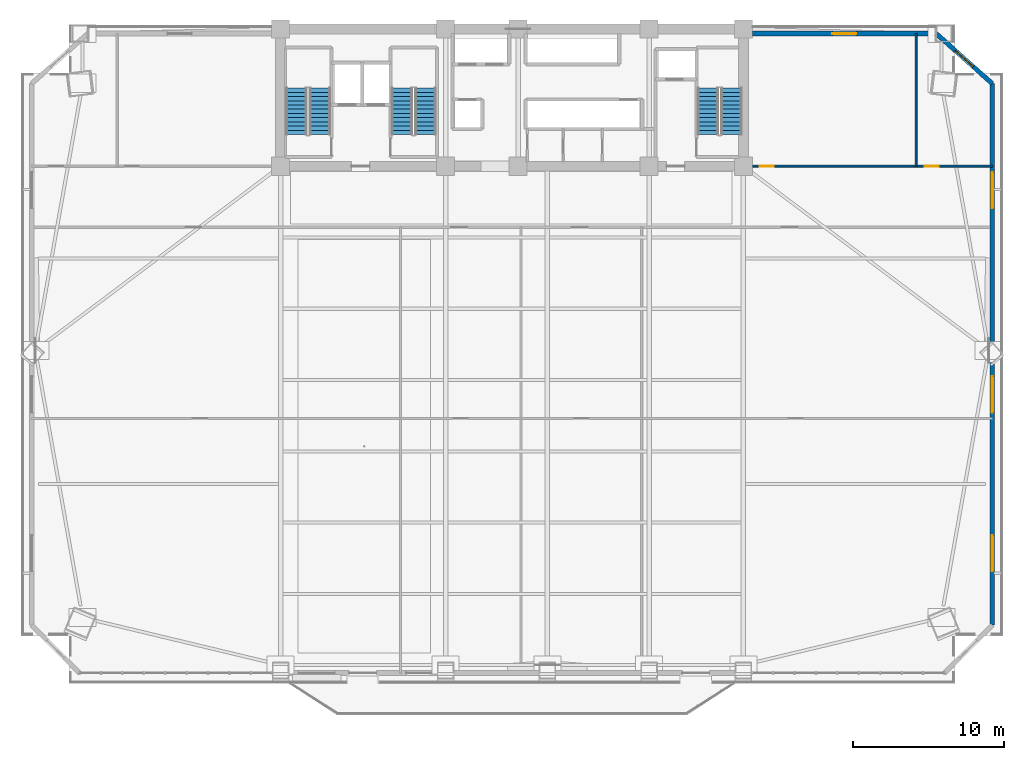
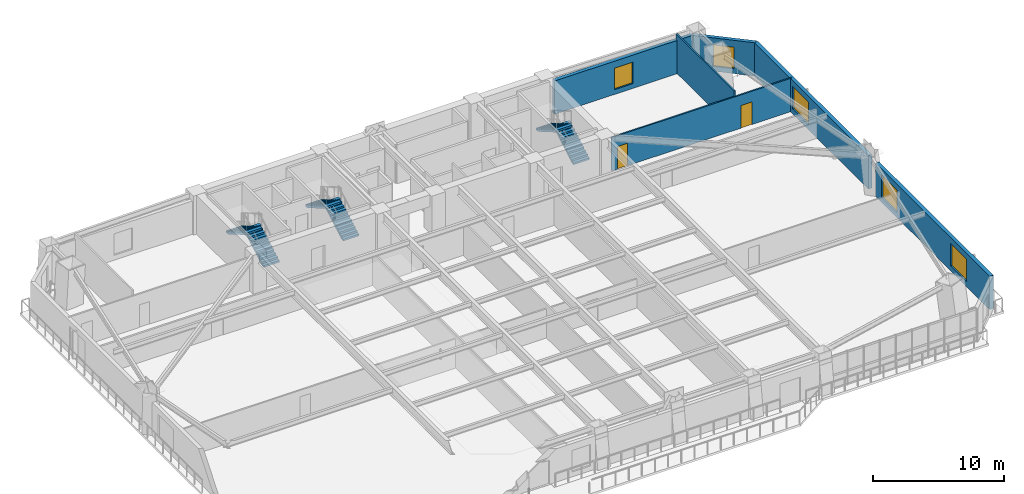
# One storey, part 11 of 17: 6 stair flights, 6 walls, 5 windows, 2 doors, 7 openings, 3 elements without a shape of their own.
"""IFC4 building model written with IfcOpenShell, lengths in metres."""

from ifc_helpers import new_model, si_unit, direction, frame, frame_2d, origin, place, context, subcontext, project, spatial, polyline, rectangle, outline, extrude, source, transform, mapped, material, layer, layer_set, type_object, element, fill, aggregate, save


model = new_model("IFC4")

# Units and contexts
model_context = context("Model", 3, precision=1e-05, world=origin(), true_north=direction((0.0, 1.0)))
body_context = subcontext(model_context, "Body", "Model", "MODEL_VIEW")
ifc_project = project(units=[si_unit("LENGTHUNIT", "METRE"), si_unit("AREAUNIT", "SQUARE_METRE"), si_unit("VOLUMEUNIT", "CUBIC_METRE"), si_unit("PLANEANGLEUNIT", "RADIAN"), si_unit("MASSUNIT", "GRAM", prefix="KILO")], contexts=[model_context])

# Site, building, storey
site_placement = place(None, origin())
site = spatial("IfcSite", under=ifc_project, at=site_placement, CompositionType="ELEMENT")
building_placement = place(site_placement, origin())
building = spatial("IfcBuilding", under=site, at=building_placement, Name="Giltprow Tower", CompositionType="ELEMENT")
storey_placement = place(building_placement, frame((0.0, 0.0, 44.89990234375)))
storey = spatial("IfcBuildingStorey", under=building, at=storey_placement, Name="L11", CompositionType="ELEMENT", Elevation=44.89990234375)

# Wall, opening, window
ifc_material_1 = material(Name="Precast concrete C40", Category="concrete")
ifc_layer_1 = layer(ifc_material_1, 0.300048828125, Name="Precast concrete C40")
ifc_layer_set_1 = layer_set([ifc_layer_1], Name="Precast concrete C40")
wall_type_1 = type_object("IfcWallType", Name="EW-NOTCH-CHAMFER-300", PredefinedType="SOLIDWALL", material=ifc_layer_set_1)
wall_1_placement = place(storey_placement, frame((67.06494140625, 42.926025390625, 0.0), z_axis=(0.0, 0.0, 1.0), x_axis=(-0.746028775675, 0.665913707521, 0.0)))
wall_1 = element("IfcWall", 1, at=wall_1_placement, inside=storey, type_object=wall_type_1, Name="L11 Corner Notch Wall NE", PredefinedType="SOLIDWALL", context=body_context, shape_type="SweptSolid", body=[
    extrude(rectangle(XDim=4.99169921875, YDim=0.300048828125, at=frame_2d((2.495849609375, 0.0))), origin(), (0.0, 0.0, 1.0), 3.10009765625),
])
opening_1_placement = place(wall_1_placement, frame((1.696044921875, 0.0, 0.449951171875)))
opening_1 = element("IfcOpeningElement", 2, at=opening_1_placement, cuts=wall_1, Name="Opening WN17", PredefinedType="OPENING", context=body_context, shape_type="SweptSolid", body=[
    extrude(rectangle(XDim=1.60009765625, YDim=2.0, at=frame_2d((0.800048828125, 1.0))), frame((0.0, 0.159912109375, 0.0), z_axis=(0.0, -1.0, 0.0), x_axis=(1.0, 0.0, 0.0)), (0.0, 0.0, 1.0), 0.320068359375),
])
ifc_material_2 = material(Name="Insulated glass", Category="glass")
window_type_1 = type_object("IfcWindowType", Name="WN-COR-1600x2000", PartitioningType="SINGLE_PANEL", PredefinedType="WINDOW", material=ifc_material_2)
shared_shape_1 = source(origin(), body_context, "Body", "SweptSolid", [
    extrude(rectangle(XDim=1.60009765625, YDim=2.0, at=frame_2d((0.800048828125, 1.0))), frame((0.0, 0.030029296875, 0.0), z_axis=(0.0, -1.0, 0.0), x_axis=(1.0, 0.0, 0.0)), (0.0, 0.0, 1.0), 0.06005859375),
])
window_1_placement = place(opening_1_placement, origin())
window_1 = element("IfcWindow", 3, at=window_1_placement, inside=storey, type_object=window_type_1, Name="L11 Corner Notch Window NE", OverallHeight=2.0, OverallWidth=1.60009765625, PartitioningType="SINGLE_PANEL", PredefinedType="WINDOW", context=body_context, shape_type="MappedRepresentation", body=[
    mapped(shared_shape_1, transform((0.0, 0.0, 0.0), x_axis=(1.0, 0.0, 0.0), y_axis=(0.0, 1.0, 0.0), z_axis=(0.0, 0.0, 1.0), scale=1.0)),
])
fill(opening_1, window_1)

# Wall, openings, windows
ifc_layer_2 = layer(ifc_material_1, 0.320068359375, Name="Precast concrete C40")
ifc_layer_set_2 = layer_set([ifc_layer_2], Name="Precast concrete C40")
wall_type_2 = type_object("IfcWallType", Name="EW-TOW-STONE-320", PredefinedType="SOLIDWALL", material=ifc_layer_set_2)
wall_2_placement = place(storey_placement, frame((67.06494140625, 7.0009765625, 0.0), z_axis=(0.0, 0.0, 1.0), x_axis=(0.0, 1.0, 0.0)))
wall_2 = element("IfcWall", 4, at=wall_2_placement, inside=storey, type_object=wall_type_2, Name="L11 E Wing Masonry Wall 1", PredefinedType="SOLIDWALL", context=body_context, shape_type="SweptSolid", body=[
    extrude(rectangle(XDim=17.412109375, YDim=0.320068359375, at=frame_2d((8.7060546875, 0.0))), origin(), (0.0, 0.0, 1.0), 3.10009765625),
])
opening_2_placement = place(wall_2_placement, frame((3.56689453125, 0.0, 0.449951171875)))
opening_2 = element("IfcOpeningElement", 5, at=opening_2_placement, cuts=wall_2, Name="Opening WN29", PredefinedType="OPENING", context=body_context, shape_type="SweptSolid", body=[
    extrude(rectangle(XDim=2.39990234375, YDim=2.10009765625, at=frame_2d((1.199951171875, 1.050048828125))), frame((0.0, 0.169921875, 0.0), z_axis=(0.0, -1.0, 0.0), x_axis=(1.0, 0.0, 0.0)), (0.0, 0.0, 1.0), 0.340087890625),
])
opening_3_placement = place(wall_2_placement, frame((14.10693359375, 0.0, 0.449951171875)))
opening_3 = element("IfcOpeningElement", 6, at=opening_3_placement, cuts=wall_2, Name="Opening WN29", PredefinedType="OPENING", context=body_context, shape_type="SweptSolid", body=[
    extrude(rectangle(XDim=2.39990234375, YDim=2.10009765625, at=frame_2d((1.199951171875, 1.050048828125))), frame((0.0, 0.169921875, 0.0), z_axis=(0.0, -1.0, 0.0), x_axis=(1.0, 0.0, 0.0)), (0.0, 0.0, 1.0), 0.340087890625),
])
window_type_2 = type_object("IfcWindowType", Name="WN-OFF-2400x2100", PartitioningType="DOUBLE_PANEL_VERTICAL", PredefinedType="WINDOW", material=ifc_material_2)
shared_shape_2 = source(origin(), body_context, "Body", "SweptSolid", [
    extrude(rectangle(XDim=2.39990234375, YDim=2.10009765625, at=frame_2d((1.199951171875, 1.050048828125))), frame((0.0, 0.030029296875, 0.0), z_axis=(0.0, -1.0, 0.0), x_axis=(1.0, 0.0, 0.0)), (0.0, 0.0, 1.0), 0.06005859375),
])
window_2_placement = place(opening_2_placement, origin())
window_2 = element("IfcWindow", 7, at=window_2_placement, inside=storey, type_object=window_type_2, Name="L11 E Wing Window 1-1A", OverallHeight=2.10009765625, OverallWidth=2.39990234375, PartitioningType="SINGLE_PANEL", PredefinedType="WINDOW", context=body_context, shape_type="MappedRepresentation", body=[
    mapped(shared_shape_2, transform((0.0, 0.0, 0.0), x_axis=(1.0, 0.0, 0.0), y_axis=(0.0, 1.0, 0.0), z_axis=(0.0, 0.0, 1.0), scale=1.0)),
])
fill(opening_2, window_2)
window_3_placement = place(opening_3_placement, origin())
window_3 = element("IfcWindow", 8, at=window_3_placement, inside=storey, type_object=window_type_2, Name="L11 E Wing Window 1-1B", OverallHeight=2.10009765625, OverallWidth=2.39990234375, PartitioningType="SINGLE_PANEL", PredefinedType="WINDOW", context=body_context, shape_type="MappedRepresentation", body=[
    mapped(shared_shape_2, transform((0.0, 0.0, 0.0), x_axis=(1.0, 0.0, 0.0), y_axis=(0.0, 1.0, 0.0), z_axis=(0.0, 0.0, 1.0), scale=1.0)),
])
fill(opening_3, window_3)

# Wall, opening, window
wall_3_placement = place(storey_placement, frame((67.06494140625, 25.512939453125, 0.0), z_axis=(0.0, 0.0, 1.0), x_axis=(0.0, 1.0, 0.0)))
wall_3 = element("IfcWall", 9, at=wall_3_placement, inside=storey, type_object=wall_type_2, Name="L11 E Wing Masonry Wall 2", PredefinedType="SOLIDWALL", context=body_context, shape_type="SweptSolid", body=[
    extrude(rectangle(XDim=17.4130859375, YDim=0.320068359375, at=frame_2d((8.70654296875, 0.0))), origin(), (0.0, 0.0, 1.0), 3.10009765625),
])
opening_4_placement = place(wall_3_placement, frame((9.132080078125, 0.0, 0.449951171875)))
opening_4 = element("IfcOpeningElement", 10, at=opening_4_placement, cuts=wall_3, Name="Opening WN29", PredefinedType="OPENING", context=body_context, shape_type="SweptSolid", body=[
    extrude(rectangle(XDim=2.39990234375, YDim=2.10009765625, at=frame_2d((1.199951171875, 1.050048828125))), frame((0.0, 0.169921875, 0.0), z_axis=(0.0, -1.0, 0.0), x_axis=(1.0, 0.0, 0.0)), (0.0, 0.0, 1.0), 0.340087890625),
])
window_4_placement = place(opening_4_placement, origin())
window_4 = element("IfcWindow", 11, at=window_4_placement, inside=storey, type_object=window_type_2, Name="L11 E Wing Window 2-1", OverallHeight=2.10009765625, OverallWidth=2.39990234375, PartitioningType="SINGLE_PANEL", PredefinedType="WINDOW", context=body_context, shape_type="MappedRepresentation", body=[
    mapped(shared_shape_2, transform((0.0, 0.0, 0.0), x_axis=(1.0, 0.0, 0.0), y_axis=(0.0, 1.0, 0.0), z_axis=(0.0, 0.0, 1.0), scale=1.0)),
])
fill(opening_4, window_4)

wall_4_placement = place(storey_placement, frame((51.14990234375, 46.25, 0.0), z_axis=(0.0, 0.0, 1.0), x_axis=(1.0, 0.0, 0.0)))
wall_4 = element("IfcWall", 12, at=wall_4_placement, inside=storey, type_object=wall_type_2, Name="L11 North-East Wing Wall", PredefinedType="SOLIDWALL", context=body_context, shape_type="SweptSolid", body=[
    extrude(rectangle(XDim=12.191162109375, YDim=0.320068359375, at=frame_2d((6.095703125, 0.0))), origin(), (0.0, 0.0, 1.0), 3.10009765625),
])
opening_5_placement = place(wall_4_placement, frame((5.2958984375, 0.0, 0.449951171875)))
opening_5 = element("IfcOpeningElement", 13, at=opening_5_placement, cuts=wall_4, Name="Opening WN17", PredefinedType="OPENING", context=body_context, shape_type="SweptSolid", body=[
    extrude(rectangle(XDim=1.60009765625, YDim=2.0, at=frame_2d((0.800048828125, 1.0))), frame((0.0, 0.169921875, 0.0), z_axis=(0.0, -1.0, 0.0), x_axis=(1.0, 0.0, 0.0)), (0.0, 0.0, 1.0), 0.340087890625),
])
window_5_placement = place(opening_5_placement, origin())
window_5 = element("IfcWindow", 14, at=window_5_placement, inside=storey, type_object=window_type_1, Name="L11 North-East Window", OverallHeight=2.0, OverallWidth=1.60009765625, PartitioningType="SINGLE_PANEL", PredefinedType="WINDOW", context=body_context, shape_type="MappedRepresentation", body=[
    mapped(shared_shape_1, transform((0.0, 0.0, 0.0), x_axis=(1.0, 0.0, 0.0), y_axis=(0.0, 1.0, 0.0), z_axis=(0.0, 0.0, 1.0), scale=1.0)),
])
fill(opening_5, window_5)

# Wall, openings, doors
ifc_material_3 = material(Name="Concrete C30", Category="concrete")
ifc_layer_3 = layer(ifc_material_3, 0.1298828125, Name="Concrete C30")
ifc_layer_set_3 = layer_set([ifc_layer_3], Name="Concrete C30")
wall_type_3 = type_object("IfcWallType", Name="IW-WET-130", PredefinedType="PARTITIONING", material=ifc_layer_set_3)
wall_5_placement = place(storey_placement, frame((51.14990234375, 37.449951171875, 0.0), z_axis=(0.0, 0.0, 1.0), x_axis=(1.0, 0.0, 0.0)))
wall_5 = element("IfcWall", 15, at=wall_5_placement, inside=storey, type_object=wall_type_3, Name="L11 NE Wing South Wall", PredefinedType="PARTITIONING", context=body_context, shape_type="SweptSolid", body=[
    extrude(rectangle(XDim=15.9150390625, YDim=0.1298828125, at=frame_2d((7.95751953125, 0.0))), origin(), (0.0, 0.0, 1.0), 3.10498046875),
])
opening_6_placement = place(wall_5_placement, frame((0.5, 0.0, 0.0)))
opening_6 = element("IfcOpeningElement", 16, at=opening_6_placement, cuts=wall_5, Name="Opening ID15", PredefinedType="OPENING", context=body_context, shape_type="SweptSolid", body=[
    extrude(rectangle(XDim=0.89990234375, YDim=2.10009765625, at=frame_2d((0.449951171875, 1.050048828125))), frame((0.0, 0.074951171875, 0.0), z_axis=(0.0, -1.0, 0.0), x_axis=(1.0, 0.0, 0.0)), (0.0, 0.0, 1.0), 0.14990234375),
])
opening_7_placement = place(wall_5_placement, frame((11.416015625, 0.0, 0.0)))
opening_7 = element("IfcOpeningElement", 17, at=opening_7_placement, cuts=wall_5, Name="Opening ID11", PredefinedType="OPENING", context=body_context, shape_type="SweptSolid", body=[
    extrude(rectangle(XDim=0.949951171875, YDim=2.10009765625, at=frame_2d((0.47509765625, 1.050048828125))), frame((0.0, 0.074951171875, 0.0), z_axis=(0.0, -1.0, 0.0), x_axis=(1.0, 0.0, 0.0)), (0.0, 0.0, 1.0), 0.14990234375),
])
ifc_material_4 = material(Name="Engineered timber", Category="wood")
door_type_1 = type_object("IfcDoorType", Name="DR-WC-900", OperationType="SINGLE_SWING_LEFT", PredefinedType="DOOR", material=ifc_material_4)
shared_shape_3 = source(origin(), body_context, "Body", "SweptSolid", [
    extrude(rectangle(XDim=0.89990234375, YDim=2.10009765625, at=frame_2d((0.449951171875, 1.050048828125))), frame((0.0, 0.02490234375, 0.0), z_axis=(0.0, -1.0, 0.0), x_axis=(1.0, 0.0, 0.0)), (0.0, 0.0, 1.0), 0.050048828125),
])
door_1_placement = place(opening_6_placement, origin())
door_1 = element("IfcDoor", 18, at=door_1_placement, inside=storey, type_object=door_type_1, Name="L11 East Wing Washroom Door", OperationType="SINGLE_SWING_RIGHT", OverallHeight=2.10009765625, OverallWidth=0.89990234375, PredefinedType="DOOR", context=body_context, shape_type="MappedRepresentation", body=[
    mapped(shared_shape_3, transform((0.0, 0.0, 0.0), x_axis=(1.0, 0.0, 0.0), y_axis=(0.0, 1.0, 0.0), z_axis=(0.0, 0.0, 1.0), scale=1.0)),
])
fill(opening_6, door_1)
door_type_2 = type_object("IfcDoorType", Name="DR-ROOM-950", OperationType="SINGLE_SWING_RIGHT", PredefinedType="DOOR", material=ifc_material_4)
shared_shape_4 = source(origin(), body_context, "Body", "SweptSolid", [
    extrude(rectangle(XDim=0.949951171875, YDim=2.10009765625, at=frame_2d((0.47509765625, 1.050048828125))), frame((0.0, 0.02490234375, 0.0), z_axis=(0.0, -1.0, 0.0), x_axis=(1.0, 0.0, 0.0)), (0.0, 0.0, 1.0), 0.050048828125),
])
door_2_placement = place(opening_7_placement, origin())
door_2 = element("IfcDoor", 19, at=door_2_placement, inside=storey, type_object=door_type_2, Name="L11 East Tenant Archive Store Door", OperationType="SINGLE_SWING_LEFT", OverallHeight=2.10009765625, OverallWidth=0.949951171875, PredefinedType="DOOR", context=body_context, shape_type="MappedRepresentation", body=[
    mapped(shared_shape_4, transform((0.0, 0.0, 0.0), x_axis=(1.0, 0.0, 0.0), y_axis=(0.0, 1.0, 0.0), z_axis=(0.0, 0.0, 1.0), scale=1.0)),
])
fill(opening_7, door_2)

# Wall
wall_6_placement = place(storey_placement, frame((62.01611328125, 37.449951171875, 0.0), z_axis=(0.0, 0.0, 1.0), x_axis=(0.0, 1.0, 0.0)))
element("IfcWall", 20, at=wall_6_placement, inside=storey, type_object=wall_type_3, Name="L11 NE Wing Divider", PredefinedType="PARTITIONING", context=body_context, shape_type="SweptSolid", body=[
    extrude(rectangle(XDim=8.800048828125, YDim=0.1298828125, at=frame_2d((4.39990234375, 0.0))), origin(), (0.0, 0.0, 1.0), 3.6201171875),
])

# Stair, stair flights
ifc_material_5 = material(Name="Concrete C40", Category="concrete")
stair_type_1 = type_object("IfcStairType", Name="STR-ST-1", PredefinedType="HALF_TURN_STAIR", material=ifc_material_5)
stair_1_placement = place(storey_placement, origin())
stair_1 = element("IfcStair", 21, at=stair_1_placement, inside=storey, type_object=stair_type_1, Name="L11 Core Exit Stair ST-1", PredefinedType="HALF_TURN_STAIR")
stair_flight_type_1 = type_object("IfcStairFlightType", Name="SFL-ST-1", PredefinedType="STRAIGHT", material=ifc_material_5)
stair_flight_1_placement = place(storey_placement, frame((22.4599609375, 39.550048828125, 0.0), z_axis=(0.0, 0.0, 1.0), x_axis=(0.0, 1.0, 0.0)))
stair_flight_1 = element("IfcStairFlight", 22, at=stair_flight_1_placement, type_object=stair_flight_type_1, Name="ST-1 flight 1", NumberOfRisers=12, NumberOfTreads=11, PredefinedType="STRAIGHT", RiserHeight=0.1625, TreadLength=0.28, context=body_context, shape_type="SweptSolid", body=[
    extrude(outline(polyline([(0.0, 0.0), (0.0, 0.16259765625), (0.280029296875, 0.16259765625), (0.280029296875, 0.324951171875), (0.56005859375, 0.324951171875), (0.56005859375, 0.487548828125), (0.840087890625, 0.487548828125), (0.840087890625, 0.64990234375), (1.1201171875, 0.64990234375), (1.1201171875, 0.8125), (1.39990234375, 0.8125), (1.39990234375, 0.97509765625), (1.679931640625, 0.97509765625), (1.679931640625, 1.137451171875), (1.9599609375, 1.137451171875), (1.9599609375, 1.300048828125), (2.239990234375, 1.300048828125), (2.239990234375, 1.46240234375), (2.52001953125, 1.46240234375), (2.52001953125, 1.625), (2.800048828125, 1.625), (2.800048828125, 1.78759765625), (3.080078125, 1.78759765625), (3.080078125, 1.949951171875), (3.080078125, 1.6142578125), (0.298583984375, 0.0), (0.0, 0.0)])), frame((0.0, 0.699951171875, 0.0), z_axis=(0.0, -1.0, 0.0), x_axis=(1.0, 0.0, 0.0)), (0.0, 0.0, 1.0), 1.39990234375),
])
stair_flight_2_placement = place(storey_placement, frame((20.89990234375, 42.6298828125, 1.9501953125), z_axis=(0.0, 0.0, 1.0), x_axis=(0.0, -1.0, 0.0)))
stair_flight_2 = element("IfcStairFlight", 23, at=stair_flight_2_placement, type_object=stair_flight_type_1, Name="ST-1 flight 2", NumberOfRisers=12, NumberOfTreads=11, PredefinedType="STRAIGHT", RiserHeight=0.1625, TreadLength=0.28, context=body_context, shape_type="SweptSolid", body=[
    extrude(outline(polyline([(0.0, 0.0), (0.0, 0.16259765625), (0.280029296875, 0.16259765625), (0.280029296875, 0.324951171875), (0.56005859375, 0.324951171875), (0.56005859375, 0.487548828125), (0.840087890625, 0.487548828125), (0.840087890625, 0.64990234375), (1.1201171875, 0.64990234375), (1.1201171875, 0.8125), (1.39990234375, 0.8125), (1.39990234375, 0.97509765625), (1.679931640625, 0.97509765625), (1.679931640625, 1.137451171875), (1.9599609375, 1.137451171875), (1.9599609375, 1.300048828125), (2.239990234375, 1.300048828125), (2.239990234375, 1.46240234375), (2.52001953125, 1.46240234375), (2.52001953125, 1.625), (2.800048828125, 1.625), (2.800048828125, 1.78759765625), (3.080078125, 1.78759765625), (3.080078125, 1.949951171875), (3.080078125, 1.6142578125), (0.298583984375, 0.0), (0.0, 0.0)])), frame((0.0, 0.699951171875, 0.0), z_axis=(0.0, -1.0, 0.0), x_axis=(1.0, 0.0, 0.0)), (0.0, 0.0, 1.0), 1.39990234375),
])
aggregate(stair_1, [stair_flight_1, stair_flight_2])

stair_type_2 = type_object("IfcStairType", Name="STR-ST-2", PredefinedType="HALF_TURN_STAIR", material=ifc_material_5)
stair_2_placement = place(storey_placement, origin())
stair_2 = element("IfcStair", 24, at=stair_2_placement, inside=storey, type_object=stair_type_2, Name="L11 Core Exit Stair ST-2", PredefinedType="HALF_TURN_STAIR")
stair_flight_type_2 = type_object("IfcStairFlightType", Name="SFL-ST-2", PredefinedType="STRAIGHT", material=ifc_material_5)
stair_flight_3_placement = place(storey_placement, frame((29.4599609375, 39.550048828125, 0.0), z_axis=(0.0, 0.0, 1.0), x_axis=(0.0, 1.0, 0.0)))
stair_flight_3 = element("IfcStairFlight", 25, at=stair_flight_3_placement, type_object=stair_flight_type_2, Name="ST-2 flight 1", NumberOfRisers=12, NumberOfTreads=11, PredefinedType="STRAIGHT", RiserHeight=0.1625, TreadLength=0.28, context=body_context, shape_type="SweptSolid", body=[
    extrude(outline(polyline([(0.0, 0.0), (0.0, 0.16259765625), (0.280029296875, 0.16259765625), (0.280029296875, 0.324951171875), (0.56005859375, 0.324951171875), (0.56005859375, 0.487548828125), (0.840087890625, 0.487548828125), (0.840087890625, 0.64990234375), (1.1201171875, 0.64990234375), (1.1201171875, 0.8125), (1.39990234375, 0.8125), (1.39990234375, 0.97509765625), (1.679931640625, 0.97509765625), (1.679931640625, 1.137451171875), (1.9599609375, 1.137451171875), (1.9599609375, 1.300048828125), (2.239990234375, 1.300048828125), (2.239990234375, 1.46240234375), (2.52001953125, 1.46240234375), (2.52001953125, 1.625), (2.800048828125, 1.625), (2.800048828125, 1.78759765625), (3.080078125, 1.78759765625), (3.080078125, 1.949951171875), (3.080078125, 1.6142578125), (0.298583984375, 0.0), (0.0, 0.0)])), frame((0.0, 0.699951171875, 0.0), z_axis=(0.0, -1.0, 0.0), x_axis=(1.0, 0.0, 0.0)), (0.0, 0.0, 1.0), 1.39990234375),
])
stair_flight_4_placement = place(storey_placement, frame((27.89990234375, 42.6298828125, 1.9501953125), z_axis=(0.0, 0.0, 1.0), x_axis=(0.0, -1.0, 0.0)))
stair_flight_4 = element("IfcStairFlight", 26, at=stair_flight_4_placement, type_object=stair_flight_type_2, Name="ST-2 flight 2", NumberOfRisers=12, NumberOfTreads=11, PredefinedType="STRAIGHT", RiserHeight=0.1625, TreadLength=0.28, context=body_context, shape_type="SweptSolid", body=[
    extrude(outline(polyline([(0.0, 0.0), (0.0, 0.16259765625), (0.280029296875, 0.16259765625), (0.280029296875, 0.324951171875), (0.56005859375, 0.324951171875), (0.56005859375, 0.487548828125), (0.840087890625, 0.487548828125), (0.840087890625, 0.64990234375), (1.1201171875, 0.64990234375), (1.1201171875, 0.8125), (1.39990234375, 0.8125), (1.39990234375, 0.97509765625), (1.679931640625, 0.97509765625), (1.679931640625, 1.137451171875), (1.9599609375, 1.137451171875), (1.9599609375, 1.300048828125), (2.239990234375, 1.300048828125), (2.239990234375, 1.46240234375), (2.52001953125, 1.46240234375), (2.52001953125, 1.625), (2.800048828125, 1.625), (2.800048828125, 1.78759765625), (3.080078125, 1.78759765625), (3.080078125, 1.949951171875), (3.080078125, 1.6142578125), (0.298583984375, 0.0), (0.0, 0.0)])), frame((0.0, 0.699951171875, 0.0), z_axis=(0.0, -1.0, 0.0), x_axis=(1.0, 0.0, 0.0)), (0.0, 0.0, 1.0), 1.39990234375),
])
aggregate(stair_2, [stair_flight_3, stair_flight_4])

stair_type_3 = type_object("IfcStairType", Name="STR-ST-3", PredefinedType="HALF_TURN_STAIR", material=ifc_material_5)
stair_3_placement = place(storey_placement, origin())
stair_3 = element("IfcStair", 27, at=stair_3_placement, inside=storey, type_object=stair_type_3, Name="L11 Core Exit Stair ST-3", PredefinedType="HALF_TURN_STAIR")
stair_flight_type_3 = type_object("IfcStairFlightType", Name="SFL-ST-3", PredefinedType="STRAIGHT", material=ifc_material_5)
stair_flight_5_placement = place(storey_placement, frame((49.760009765625, 39.550048828125, 0.0), z_axis=(0.0, 0.0, 1.0), x_axis=(0.0, 1.0, 0.0)))
stair_flight_5 = element("IfcStairFlight", 28, at=stair_flight_5_placement, type_object=stair_flight_type_3, Name="ST-3 flight 1", NumberOfRisers=12, NumberOfTreads=11, PredefinedType="STRAIGHT", RiserHeight=0.1625, TreadLength=0.28, context=body_context, shape_type="SweptSolid", body=[
    extrude(outline(polyline([(0.0, 0.0), (0.0, 0.16259765625), (0.280029296875, 0.16259765625), (0.280029296875, 0.324951171875), (0.56005859375, 0.324951171875), (0.56005859375, 0.487548828125), (0.840087890625, 0.487548828125), (0.840087890625, 0.64990234375), (1.1201171875, 0.64990234375), (1.1201171875, 0.8125), (1.39990234375, 0.8125), (1.39990234375, 0.97509765625), (1.679931640625, 0.97509765625), (1.679931640625, 1.137451171875), (1.9599609375, 1.137451171875), (1.9599609375, 1.300048828125), (2.239990234375, 1.300048828125), (2.239990234375, 1.46240234375), (2.52001953125, 1.46240234375), (2.52001953125, 1.625), (2.800048828125, 1.625), (2.800048828125, 1.78759765625), (3.080078125, 1.78759765625), (3.080078125, 1.949951171875), (3.080078125, 1.6142578125), (0.298583984375, 0.0), (0.0, 0.0)])), frame((0.0, 0.699951171875, 0.0), z_axis=(0.0, -1.0, 0.0), x_axis=(1.0, 0.0, 0.0)), (0.0, 0.0, 1.0), 1.39990234375),
])
stair_flight_6_placement = place(storey_placement, frame((48.199951171875, 42.6298828125, 1.9501953125), z_axis=(0.0, 0.0, 1.0), x_axis=(0.0, -1.0, 0.0)))
stair_flight_6 = element("IfcStairFlight", 29, at=stair_flight_6_placement, type_object=stair_flight_type_3, Name="ST-3 flight 2", NumberOfRisers=12, NumberOfTreads=11, PredefinedType="STRAIGHT", RiserHeight=0.1625, TreadLength=0.28, context=body_context, shape_type="SweptSolid", body=[
    extrude(outline(polyline([(0.0, 0.0), (0.0, 0.16259765625), (0.280029296875, 0.16259765625), (0.280029296875, 0.324951171875), (0.56005859375, 0.324951171875), (0.56005859375, 0.487548828125), (0.840087890625, 0.487548828125), (0.840087890625, 0.64990234375), (1.1201171875, 0.64990234375), (1.1201171875, 0.8125), (1.39990234375, 0.8125), (1.39990234375, 0.97509765625), (1.679931640625, 0.97509765625), (1.679931640625, 1.137451171875), (1.9599609375, 1.137451171875), (1.9599609375, 1.300048828125), (2.239990234375, 1.300048828125), (2.239990234375, 1.46240234375), (2.52001953125, 1.46240234375), (2.52001953125, 1.625), (2.800048828125, 1.625), (2.800048828125, 1.78759765625), (3.080078125, 1.78759765625), (3.080078125, 1.949951171875), (3.080078125, 1.6142578125), (0.298583984375, 0.0), (0.0, 0.0)])), frame((0.0, 0.699951171875, 0.0), z_axis=(0.0, -1.0, 0.0), x_axis=(1.0, 0.0, 0.0)), (0.0, 0.0, 1.0), 1.39990234375),
])
aggregate(stair_3, [stair_flight_5, stair_flight_6])

save(model, "model.ifc")
